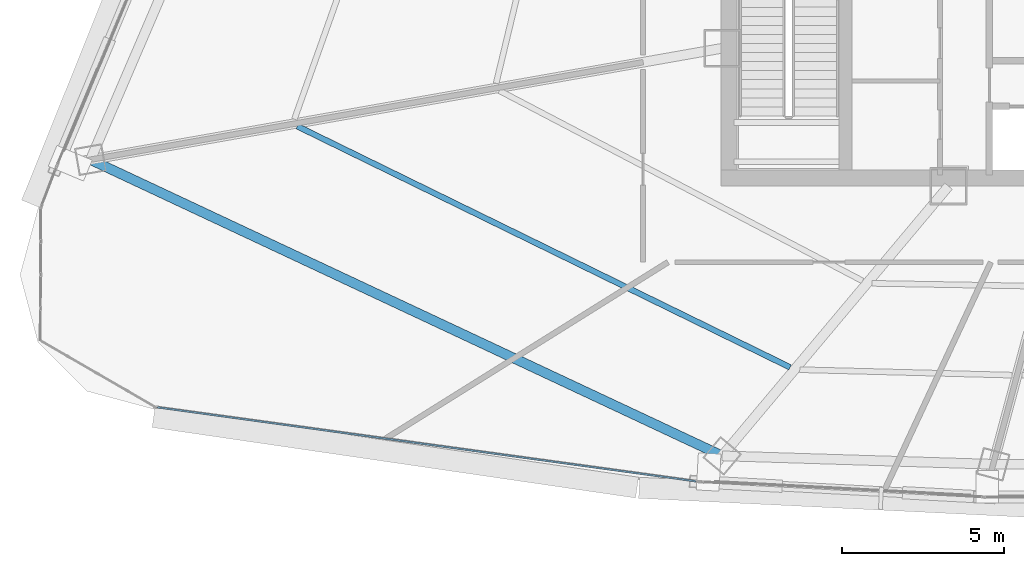
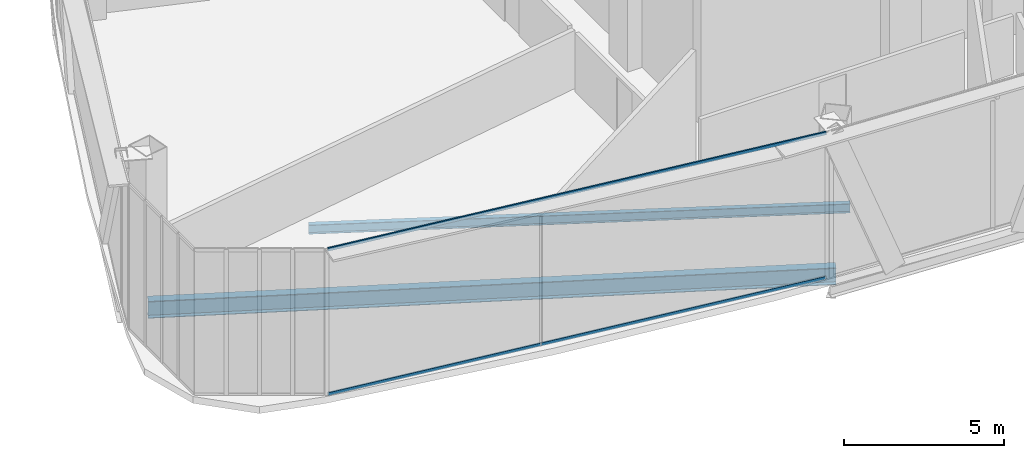
# One storey, part 3 of 38: 2 beams, 2 members, 1 element without a shape of its own.
"""IFC4 building model written with IfcOpenShell, lengths in metres."""

from ifc_helpers import new_model, si_unit, direction, frame, origin, origin_2d, place, context, subcontext, project, spatial, hollow_rectangle, i_section, extrude, source, transform, mapped, material, layer, layer_set, material_profile, profile_set, type_object, element, aggregate, save


model = new_model("IFC4")

# Units and contexts
model_context = context("Model", 3, precision=1e-05, world=origin(), true_north=direction((0.0, 1.0)))
body_context = subcontext(model_context, "Body", "Model", "MODEL_VIEW")
ifc_project = project(units=[si_unit("LENGTHUNIT", "METRE"), si_unit("AREAUNIT", "SQUARE_METRE"), si_unit("VOLUMEUNIT", "CUBIC_METRE"), si_unit("PLANEANGLEUNIT", "RADIAN"), si_unit("MASSUNIT", "GRAM", prefix="KILO"), si_unit("THERMODYNAMICTEMPERATUREUNIT", "KELVIN"), si_unit("POWERUNIT", "WATT")], contexts=[model_context])

# Site, building, storey
site_placement = place(None, origin())
site = spatial("IfcSite", under=ifc_project, at=site_placement, CompositionType="ELEMENT")
building_placement = place(site_placement, origin())
building = spatial("IfcBuilding", under=site, at=building_placement, Name="Yunzhuo Pagoda Commons", CompositionType="ELEMENT")
storey_placement = place(building_placement, frame((0.0, 0.0, 266.909912109375)))
storey = spatial("IfcBuildingStorey", under=building, at=storey_placement, Name="L67", CompositionType="ELEMENT", Elevation=266.909912109375)

# Beams
ifc_material_1 = material(Name="Structural steel Q355B", Category="steel")
ifc_material_profile_1 = material_profile(ifc_material_1, i_section(OverallWidth=0.300048828125, OverallDepth=0.64990234375, WebThickness=0.012939453125, FlangeThickness=0.02197265625, at=origin_2d()), Name="Structural steel Q355B")
ifc_profile_set_1 = profile_set([ifc_material_profile_1], Name="Structural steel Q355B")
beam_type_1 = type_object("IfcBeamType", Name="B-RG2 Beam HN 650x300x13x22", PredefinedType="BEAM", material=ifc_profile_set_1)
shared_shape_1 = source(origin(), body_context, "Body", "SweptSolid", [
    extrude(i_section(OverallWidth=0.300048828125, OverallDepth=0.64990234375, WebThickness=0.012939453125, FlangeThickness=0.02197265625, at=origin_2d()), origin(), (0.0, 0.0, 1.0), 21.56689453125),
])
beam_1_placement = place(storey_placement, frame((16.06591796875, 28.069091796875, -0.5849609375), z_axis=(0.905424265365, -0.424507832304, 0.0), x_axis=(0.424507832304, 0.905424265365, 0.0)))
element("IfcBeam", 1, at=beam_1_placement, inside=storey, type_object=beam_type_1, Name="L67 column-ring beam 12", PredefinedType="BEAM", context=body_context, shape_type="MappedRepresentation", body=[
    mapped(shared_shape_1, transform((0.0, 0.0, 0.0), scale=1.0)),
])
ifc_material_profile_2 = material_profile(ifc_material_1, i_section(OverallWidth=0.175048828125, OverallDepth=0.35009765625, WebThickness=0.007080078125, FlangeThickness=0.010986328125, at=origin_2d()), Name="Structural steel Q355B")
ifc_profile_set_2 = profile_set([ifc_material_profile_2], Name="Structural steel Q355B")
beam_type_2 = type_object("IfcBeamType", Name="B-JS2 Joist HN 350x175x7x11", PredefinedType="JOIST", material=ifc_profile_set_2)
shared_shape_2 = source(origin(), body_context, "Body", "SweptSolid", [
    extrude(i_section(OverallWidth=0.175048828125, OverallDepth=0.35009765625, WebThickness=0.007080078125, FlangeThickness=0.010986328125, at=origin_2d()), origin(), (0.0, 0.0, 1.0), 16.95361328125),
])
beam_2_placement = place(storey_placement, frame((22.459716796875, 29.101806640625, -0.434814453125), z_axis=(0.898261717675, -0.439460904473, 0.0), x_axis=(0.439460904473, 0.898261717675, 0.0)))
element("IfcBeam", 2, at=beam_2_placement, inside=storey, type_object=beam_type_2, Name="L67 composite ring joist 2.12", PredefinedType="JOIST", context=body_context, shape_type="MappedRepresentation", body=[
    mapped(shared_shape_2, transform((0.0, 0.0, 0.0), scale=1.0)),
])

# Curtain wall, members
ifc_material_2 = material(Name="Anodized aluminium 6063-T6", Category="aluminium")
ifc_layer = layer(ifc_material_2, 0.139892578125)
ifc_layer_set = layer_set([ifc_layer], Name="Anodized aluminium 6063-T6")
curtain_wall_type = type_object("IfcCurtainWallType", Name="CW-HI High-Zone Ribbon Curtain Wall", PredefinedType="NOTDEFINED", material=ifc_layer_set)
curtain_wall_placement = place(storey_placement, origin())
curtain_wall = element("IfcCurtainWall", 3, at=curtain_wall_placement, inside=storey, type_object=curtain_wall_type, Name="L67 curtain wall CW-L67-F1B1", PredefinedType="NOTDEFINED")
ifc_material_profile_3 = material_profile(ifc_material_2, hollow_rectangle(XDim=0.054931640625, YDim=0.1201171875, WallThickness=0.00341796875, at=origin_2d()), Name="Anodized aluminium 6063-T6")
ifc_profile_set_3 = profile_set([ifc_material_profile_3], Name="Anodized aluminium 6063-T6")
member_type = type_object("IfcMemberType", Name="CW-HI-T Transom RHS 120x55x3.5", PredefinedType="USERDEFINED", material=ifc_profile_set_3)
shared_shape_3 = source(origin(), body_context, "Body", "SweptSolid", [
    extrude(hollow_rectangle(XDim=0.054931640625, YDim=0.1201171875, WallThickness=0.00341796875, at=origin_2d()), origin(), (0.0, 0.0, 1.0), 16.80810546875),
])
member_1_placement = place(storey_placement, frame((18.13232421875, 20.415283203125, 0.027587890625), z_axis=(0.990697109219, -0.136085406215, 0.0), x_axis=(0.136085406215, 0.990697109219, 0.0)))
member_1 = element("IfcMember", 4, at=member_1_placement, type_object=member_type, Name="CW transom 1.1", ObjectType="TRANSOM", PredefinedType="USERDEFINED", context=body_context, shape_type="MappedRepresentation", body=[
    mapped(shared_shape_3, transform((0.0, 0.0, 0.0), scale=1.0)),
])
member_2_placement = place(storey_placement, frame((18.13232421875, 20.415283203125, 5.54248046875), z_axis=(0.990697109219, -0.136085406215, 0.0), x_axis=(0.136085406215, 0.990697109219, 0.0)))
member_2 = element("IfcMember", 5, at=member_2_placement, type_object=member_type, Name="CW transom 1.2", ObjectType="TRANSOM", PredefinedType="USERDEFINED", context=body_context, shape_type="MappedRepresentation", body=[
    mapped(shared_shape_3, transform((0.0, 0.0, 0.0), scale=1.0)),
])
aggregate(curtain_wall, [member_1, member_2])

save(model, "model.ifc")
